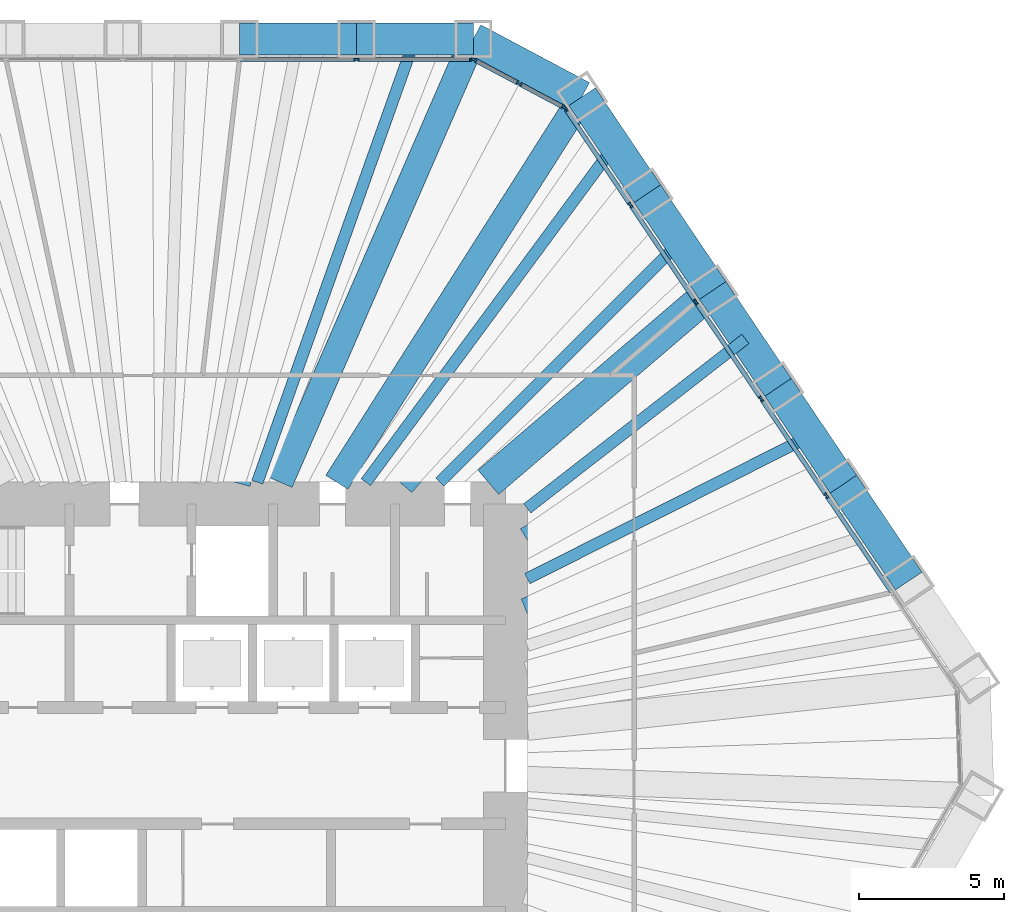
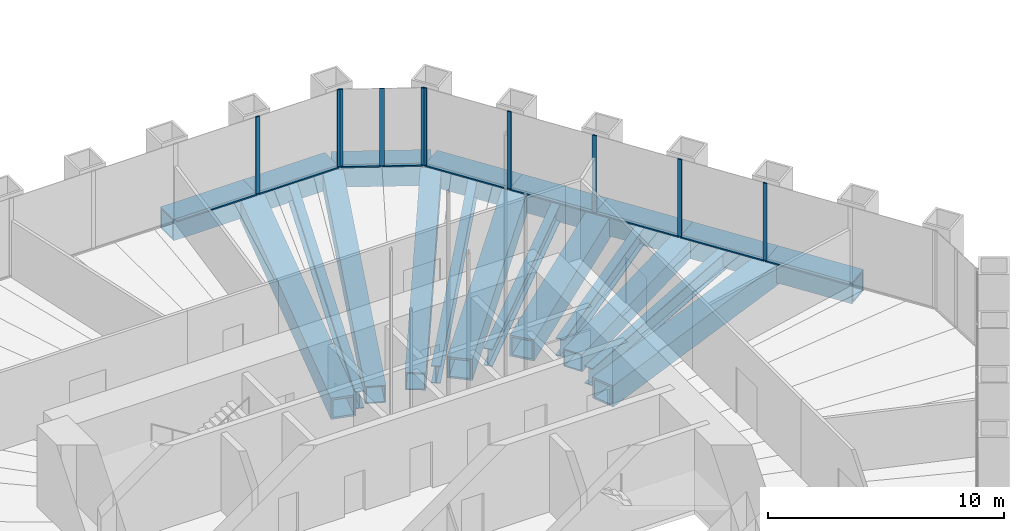
# One storey, part 7 of 20: 27 members, 12 beams, 3 elements without a shape of their own.
"""IFC4 building model written with IfcOpenShell, lengths in metres."""

from ifc_helpers import new_model, si_unit, direction, frame, origin, origin_2d, place, context, subcontext, project, spatial, rectangle, hollow_rectangle, i_section, extrude, material, material_profile, profile_set, type_object, element, aggregate, save


model = new_model("IFC4")

# Units and contexts
model_context = context("Model", 3, precision=1e-05, world=origin(), true_north=direction((0.0, 1.0)))
body_context = subcontext(model_context, "Body", "Model", "MODEL_VIEW")
ifc_project = project(units=[si_unit("LENGTHUNIT", "METRE"), si_unit("AREAUNIT", "SQUARE_METRE"), si_unit("VOLUMEUNIT", "CUBIC_METRE"), si_unit("PLANEANGLEUNIT", "RADIAN"), si_unit("MASSUNIT", "GRAM", prefix="KILO")], contexts=[model_context])

# Site, building, storey
site_placement = place(None, origin())
site = spatial("IfcSite", under=ifc_project, at=site_placement, CompositionType="ELEMENT")
building_placement = place(site_placement, origin())
building = spatial("IfcBuilding", under=site, at=building_placement, Name="Qingtian Harvest Tower", CompositionType="ELEMENT")
storey_placement = place(building_placement, frame((0.0, 0.0, 103.0)))
storey = spatial("IfcBuildingStorey", under=building, at=storey_placement, Name="L20", CompositionType="ELEMENT", Elevation=103.0)

# Members
ifc_material_1 = material(Name="Steel SM570MC", Category="steel")
ifc_material_profile_1 = material_profile(ifc_material_1, hollow_rectangle(XDim=1.10009765625, YDim=1.10009765625, WallThickness=0.080078125, at=origin_2d()), Name="BOX1100x1100x80")
ifc_profile_set_1 = profile_set([ifc_material_profile_1], Name="Steel SM570MC")
member_type_1 = type_object("IfcMemberType", Name="Belt truss chord BC1 BOX1100x1100x80", PredefinedType="CHORD", material=ifc_profile_set_1)
member_1_placement = place(storey_placement, frame((2.8544921875, 25.0, -0.550048828125), z_axis=(1.0, 0.0, 0.0), x_axis=(0.0, 1.0, 0.0)))
element("IfcMember", 1, at=member_1_placement, inside=storey, type_object=member_type_1, Name="Belt chord BC1 N4", PredefinedType="CHORD", context=body_context, shape_type="SweptSolid", body=[
    extrude(hollow_rectangle(XDim=1.10009765625, YDim=1.10009765625, WallThickness=0.080078125, at=origin_2d()), origin(), (0.0, 0.0, 1.0), 4.019287109375),
])
member_2_placement = place(storey_placement, frame((6.873779296875, 25.0, -0.550048828125), z_axis=(1.0, 0.0, 0.0), x_axis=(0.0, 1.0, 0.0)))
element("IfcMember", 2, at=member_2_placement, inside=storey, type_object=member_type_1, Name="Belt chord BC1 N5", PredefinedType="CHORD", context=body_context, shape_type="SweptSolid", body=[
    extrude(hollow_rectangle(XDim=1.10009765625, YDim=1.10009765625, WallThickness=0.080078125, at=origin_2d()), origin(), (0.0, 0.0, 1.0), 4.01904296875),
])
member_3_placement = place(storey_placement, frame((10.892822265625, 25.0, -0.550048828125), z_axis=(0.882935902835, -0.469493547863, 0.0), x_axis=(0.469493547863, 0.882935902835, 0.0)))
element("IfcMember", 3, at=member_3_placement, inside=storey, type_object=member_type_1, Name="Belt chord BC1 NC", PredefinedType="CHORD", context=body_context, shape_type="SweptSolid", body=[
    extrude(hollow_rectangle(XDim=1.10009765625, YDim=1.10009765625, WallThickness=0.080078125, at=origin_2d()), origin(), (0.0, 0.0, 1.0), 4.238037109375),
])
member_4_placement = place(storey_placement, frame((14.634765625, 23.01025390625, -0.550048828125), z_axis=(0.559205752254, -0.829028905796, 0.0), x_axis=(0.829028905796, 0.559205752254, 0.0)))
element("IfcMember", 4, at=member_4_placement, inside=storey, type_object=member_type_1, Name="Belt chord BC1 NE0", PredefinedType="CHORD", context=body_context, shape_type="SweptSolid", body=[
    extrude(hollow_rectangle(XDim=1.10009765625, YDim=1.10009765625, WallThickness=0.080078125, at=origin_2d()), origin(), (0.0, 0.0, 1.0), 4.019287109375),
])
member_5_placement = place(storey_placement, frame((16.88232421875, 19.67822265625, -0.550048828125), z_axis=(0.55919216322, -0.82903807186, 0.0), x_axis=(0.82903807186, 0.55919216322, 0.0)))
element("IfcMember", 5, at=member_5_placement, inside=storey, type_object=member_type_1, Name="Belt chord BC1 NE1", PredefinedType="CHORD", context=body_context, shape_type="SweptSolid", body=[
    extrude(hollow_rectangle(XDim=1.10009765625, YDim=1.10009765625, WallThickness=0.080078125, at=origin_2d()), origin(), (0.0, 0.0, 1.0), 4.018798828125),
])
member_6_placement = place(storey_placement, frame((19.129638671875, 16.346435546875, -0.550048828125), z_axis=(0.559205752254, -0.829028905796, 0.0), x_axis=(0.829028905796, 0.559205752254, 0.0)))
element("IfcMember", 6, at=member_6_placement, inside=storey, type_object=member_type_1, Name="Belt chord BC1 NE2", PredefinedType="CHORD", context=body_context, shape_type="SweptSolid", body=[
    extrude(hollow_rectangle(XDim=1.10009765625, YDim=1.10009765625, WallThickness=0.080078125, at=origin_2d()), origin(), (0.0, 0.0, 1.0), 4.019287109375),
])
for number, where, z_axis, x_axis, name in (
    (7, (21.377197265625, 13.014404296875, -0.550048828125), (0.55916400171, -0.829057066306, 0.0), (0.829057066306, 0.55916400171, 0.0), "Belt chord BC1 NE3"),
    (8, (23.62451171875, 9.682373046875, -0.550048828125), (0.559233913953, -0.829009909159, 0.0), (0.829009909159, 0.559233913953, 0.0), "Belt chord BC1 NE4"),
):
    element("IfcMember", number, at=place(storey_placement, frame(where, z_axis=z_axis, x_axis=x_axis)), inside=storey, type_object=member_type_1, Name=name, PredefinedType="CHORD", context=body_context, shape_type="SweptSolid", body=[
        extrude(hollow_rectangle(XDim=1.10009765625, YDim=1.10009765625, WallThickness=0.080078125, at=origin_2d()), origin(), (0.0, 0.0, 1.0), 4.01904296875),
    ])

# Beams
ifc_material_2 = material(Name="Steel SN490B", Category="steel")
ifc_material_profile_2 = material_profile(ifc_material_2, i_section(OverallWidth=0.39990234375, OverallDepth=0.89990234375, WebThickness=0.01904296875, FlangeThickness=0.035888671875, at=origin_2d()), Name="H900x400x19x36")
ifc_profile_set_2 = profile_set([ifc_material_profile_2], Name="Steel SN490B")
beam_type_1 = type_object("IfcBeamType", Name="Floor joist J4 H900x400x19x36", PredefinedType="JOIST", material=ifc_profile_set_2)
beam_1_placement = place(storey_placement, frame((8.88330078125, 25.0, -0.6201171875), z_axis=(-0.334829909573, -0.94227858495, 0.0), x_axis=(0.94227858495, -0.334829909573, 0.0)))
element("IfcBeam", 9, at=beam_1_placement, inside=storey, type_object=beam_type_1, Name="Floor joist J4 N5", PredefinedType="JOIST", context=body_context, shape_type="SweptSolid", body=[
    extrude(i_section(OverallWidth=0.39990234375, OverallDepth=0.89990234375, WebThickness=0.01904296875, FlangeThickness=0.035888671875, at=origin_2d()), origin(), (0.0, 0.0, 1.0), 16.18408203125),
])
beam_2_placement = place(storey_placement, frame((15.758544921875, 21.34423828125, -0.6201171875), z_axis=(-0.593960386058, -0.804494288229, 0.0), x_axis=(0.804494288229, -0.593960386058, 0.0)))
element("IfcBeam", 10, at=beam_2_placement, inside=storey, type_object=beam_type_1, Name="Floor joist J4 NE0", PredefinedType="JOIST", context=body_context, shape_type="SweptSolid", body=[
    extrude(i_section(OverallWidth=0.39990234375, OverallDepth=0.89990234375, WebThickness=0.01904296875, FlangeThickness=0.035888671875, at=origin_2d()), origin(), (0.0, 0.0, 1.0), 14.411865234375),
])
beam_3_placement = place(storey_placement, frame((18.005859375, 18.012451171875, -0.6201171875), z_axis=(-0.706970932755, -0.707242603524, 0.0), x_axis=(0.707242603524, -0.706970932755, 0.0)))
element("IfcBeam", 11, at=beam_3_placement, inside=storey, type_object=beam_type_1, Name="Floor joist J4 NE1", PredefinedType="JOIST", context=body_context, shape_type="SweptSolid", body=[
    extrude(i_section(OverallWidth=0.39990234375, OverallDepth=0.89990234375, WebThickness=0.01904296875, FlangeThickness=0.035888671875, at=origin_2d()), origin(), (0.0, 0.0, 1.0), 11.6826171875),
])
beam_4_placement = place(storey_placement, frame((20.25341796875, 14.680419921875, -0.6201171875), z_axis=(-0.789641272199, -0.61356879096, 0.0), x_axis=(0.61356879096, -0.789641272199, 0.0)))
element("IfcBeam", 12, at=beam_4_placement, inside=storey, type_object=beam_type_1, Name="Floor joist J4 NE2", PredefinedType="JOIST", context=body_context, shape_type="SweptSolid", body=[
    extrude(i_section(OverallWidth=0.39990234375, OverallDepth=0.89990234375, WebThickness=0.01904296875, FlangeThickness=0.035888671875, at=origin_2d()), origin(), (0.0, 0.0, 1.0), 9.502197265625),
])
beam_5_placement = place(storey_placement, frame((22.500732421875, 11.348388671875, -0.6201171875), z_axis=(-0.892861323685, -0.450331718478, 0.0), x_axis=(0.450331718478, -0.892861323685, 0.0)))
element("IfcBeam", 13, at=beam_5_placement, inside=storey, type_object=beam_type_1, Name="Floor joist J4 NE3", PredefinedType="JOIST", context=body_context, shape_type="SweptSolid", body=[
    extrude(i_section(OverallWidth=0.39990234375, OverallDepth=0.89990234375, WebThickness=0.01904296875, FlangeThickness=0.035888671875, at=origin_2d()), origin(), (0.0, 0.0, 1.0), 10.920654296875),
])

# Curtain wall, members
ifc_material_3 = material(Name="Bronze-anodised aluminium curtain wall", Category="aluminium")
curtain_wall_type = type_object("IfcCurtainWallType", Name="Curtain wall CW3 sky lobby", PredefinedType="USERDEFINED", material=ifc_material_3)
curtain_wall_1_placement = place(storey_placement, origin())
curtain_wall_1 = element("IfcCurtainWall", 14, at=curtain_wall_1_placement, inside=storey, type_object=curtain_wall_type, Name="Curtain wall CW3 L20 N0-5", ObjectType="RECESSED CURTAIN WALL", PredefinedType="USERDEFINED")
ifc_material_4 = material(Name="Bronze-anodised aluminium mullion", Category="aluminium")
ifc_material_profile_3 = material_profile(ifc_material_4, rectangle(XDim=0.06494140625, YDim=0.199951171875, at=origin_2d()), Name="AL 65x200")
ifc_profile_set_3 = profile_set([ifc_material_profile_3], Name="Bronze-anodised aluminium mullion")
member_type_2 = type_object("IfcMemberType", Name="Mullion CWM 65x200", PredefinedType="MULLION", material=ifc_profile_set_3)
member_7_placement = place(storey_placement, frame((6.873779296875, 24.300048828125, 0.0), z_axis=(0.0, 0.0, 1.0), x_axis=(0.0, 1.0, 0.0)))
member_7 = element("IfcMember", 15, at=member_7_placement, type_object=member_type_2, Name="CW3 mullion 6", PredefinedType="MULLION", context=body_context, shape_type="SweptSolid", body=[
    extrude(rectangle(XDim=0.06494140625, YDim=0.199951171875, at=origin_2d()), origin(), (0.0, 0.0, 1.0), 4.030029296875),
])
member_8_placement = place(storey_placement, frame((10.8603515625, 24.300048828125, 0.0), z_axis=(0.0, 0.0, 1.0), x_axis=(0.0, 1.0, 0.0)))
member_8 = element("IfcMember", 16, at=member_8_placement, type_object=member_type_2, Name="CW3 mullion 7", PredefinedType="MULLION", context=body_context, shape_type="SweptSolid", body=[
    extrude(rectangle(XDim=0.06494140625, YDim=0.199951171875, at=origin_2d()), origin(), (0.0, 0.0, 1.0), 4.030029296875),
])

curtain_wall_2_placement = place(storey_placement, origin())
curtain_wall_2 = element("IfcCurtainWall", 17, at=curtain_wall_2_placement, inside=storey, type_object=curtain_wall_type, Name="Curtain wall CW3 L20 NC", ObjectType="RECESSED CURTAIN WALL", PredefinedType="USERDEFINED")
member_9_placement = place(storey_placement, frame((10.92138671875, 24.28466796875, 0.0), z_axis=(0.0, 0.0, 1.0), x_axis=(0.469471562786, 0.882947592859, 0.0)))
member_9 = element("IfcMember", 18, at=member_9_placement, type_object=member_type_2, Name="CW3 mullion 1", PredefinedType="MULLION", context=body_context, shape_type="SweptSolid", body=[
    extrude(rectangle(XDim=0.06494140625, YDim=0.199951171875, at=origin_2d()), origin(), (0.0, 0.0, 1.0), 4.030029296875),
])
member_10_placement = place(storey_placement, frame((12.4736328125, 23.45947265625, 0.0), z_axis=(0.0, 0.0, 1.0), x_axis=(0.469471562786, 0.882947592859, 0.0)))
member_10 = element("IfcMember", 19, at=member_10_placement, type_object=member_type_2, Name="CW3 mullion 2", PredefinedType="MULLION", context=body_context, shape_type="SweptSolid", body=[
    extrude(rectangle(XDim=0.06494140625, YDim=0.199951171875, at=origin_2d()), origin(), (0.0, 0.0, 1.0), 4.030029296875),
])
member_11_placement = place(storey_placement, frame((14.02587890625, 22.634033203125, 0.0), z_axis=(0.0, 0.0, 1.0), x_axis=(0.469471562786, 0.882947592859, 0.0)))
member_11 = element("IfcMember", 20, at=member_11_placement, type_object=member_type_2, Name="CW3 mullion 3", PredefinedType="MULLION", context=body_context, shape_type="SweptSolid", body=[
    extrude(rectangle(XDim=0.06494140625, YDim=0.199951171875, at=origin_2d()), origin(), (0.0, 0.0, 1.0), 4.030029296875),
])

curtain_wall_3_placement = place(storey_placement, origin())
curtain_wall_3 = element("IfcCurtainWall", 21, at=curtain_wall_3_placement, inside=storey, type_object=curtain_wall_type, Name="Curtain wall CW3 L20 NE0-5", ObjectType="RECESSED CURTAIN WALL", PredefinedType="USERDEFINED")
member_12_placement = place(storey_placement, frame((14.07275390625, 22.592041015625, 0.0), z_axis=(0.0, 0.0, 1.0), x_axis=(0.829037572555, 0.559192903471, 0.0)))
member_12 = element("IfcMember", 22, at=member_12_placement, type_object=member_type_2, Name="CW3 mullion 1", PredefinedType="MULLION", context=body_context, shape_type="SweptSolid", body=[
    extrude(rectangle(XDim=0.06494140625, YDim=0.199951171875, at=origin_2d()), origin(), (0.0, 0.0, 1.0), 4.030029296875),
])
member_13_placement = place(storey_placement, frame((16.302001953125, 19.286865234375, 0.0), z_axis=(0.0, 0.0, 1.0), x_axis=(0.829037572555, 0.559192903471, 0.0)))
member_13 = element("IfcMember", 23, at=member_13_placement, type_object=member_type_2, Name="CW3 mullion 2", PredefinedType="MULLION", context=body_context, shape_type="SweptSolid", body=[
    extrude(rectangle(XDim=0.06494140625, YDim=0.199951171875, at=origin_2d()), origin(), (0.0, 0.0, 1.0), 4.030029296875),
])
member_14_placement = place(storey_placement, frame((18.54931640625, 15.954833984375, 0.0), z_axis=(0.0, 0.0, 1.0), x_axis=(0.829037572555, 0.559192903471, 0.0)))
member_14 = element("IfcMember", 24, at=member_14_placement, type_object=member_type_2, Name="CW3 mullion 3", PredefinedType="MULLION", context=body_context, shape_type="SweptSolid", body=[
    extrude(rectangle(XDim=0.06494140625, YDim=0.199951171875, at=origin_2d()), origin(), (0.0, 0.0, 1.0), 4.030029296875),
])
member_15_placement = place(storey_placement, frame((20.796875, 12.623046875, 0.0), z_axis=(0.0, 0.0, 1.0), x_axis=(0.829037572555, 0.559192903471, 0.0)))
member_15 = element("IfcMember", 25, at=member_15_placement, type_object=member_type_2, Name="CW3 mullion 4", PredefinedType="MULLION", context=body_context, shape_type="SweptSolid", body=[
    extrude(rectangle(XDim=0.06494140625, YDim=0.199951171875, at=origin_2d()), origin(), (0.0, 0.0, 1.0), 4.030029296875),
])
member_16_placement = place(storey_placement, frame((23.044189453125, 9.291015625, 0.0), z_axis=(0.0, 0.0, 1.0), x_axis=(0.829037572555, 0.559192903471, 0.0)))
member_16 = element("IfcMember", 26, at=member_16_placement, type_object=member_type_2, Name="CW3 mullion 5", PredefinedType="MULLION", context=body_context, shape_type="SweptSolid", body=[
    extrude(rectangle(XDim=0.06494140625, YDim=0.199951171875, at=origin_2d()), origin(), (0.0, 0.0, 1.0), 4.030029296875),
])

# Beams
ifc_material_5 = material(Name="Steel SM570MC", Category="steel")
ifc_material_profile_4 = material_profile(ifc_material_5, hollow_rectangle(XDim=0.89990234375, YDim=0.89990234375, WallThickness=0.06005859375, at=origin_2d()), Name="BOX900x900x60")
ifc_profile_set_4 = profile_set([ifc_material_profile_4], Name="Steel SM570MC")
beam_type_2 = type_object("IfcBeamType", Name="Outrigger chord beam OC1 BOX900x900x60", PredefinedType="BEAM", material=ifc_profile_set_4)
beam_6_placement = place(storey_placement, frame((10.892822265625, 25.0, -0.6201171875), z_axis=(-0.399451016538, -0.916754539333, 0.0), x_axis=(0.916754539333, -0.399451016538, 0.0)))
element("IfcBeam", 27, at=beam_6_placement, inside=storey, type_object=beam_type_2, Name="Floor beam OC1 N6", PredefinedType="BEAM", context=body_context, shape_type="SweptSolid", body=[
    extrude(hollow_rectangle(XDim=0.89990234375, YDim=0.89990234375, WallThickness=0.06005859375, at=origin_2d()), origin(), (0.0, 0.0, 1.0), 16.634765625),
])
beam_7_placement = place(storey_placement, frame((14.634765625, 23.01025390625, -0.6201171875), z_axis=(-0.536660352939, -0.843798355997, 0.0), x_axis=(0.843798355997, -0.536660352939, 0.0)))
element("IfcBeam", 28, at=beam_7_placement, inside=storey, type_object=beam_type_2, Name="Floor beam OC1 NE0", PredefinedType="BEAM", context=body_context, shape_type="SweptSolid", body=[
    extrude(hollow_rectangle(XDim=0.89990234375, YDim=0.89990234375, WallThickness=0.06005859375, at=origin_2d()), origin(), (0.0, 0.0, 1.0), 15.71484375),
])
beam_8_placement = place(storey_placement, frame((21.377197265625, 13.014404296875, -0.6201171875), z_axis=(-0.854160745245, -0.520009058846, 0.0), x_axis=(0.520009058846, -0.854160745245, 0.0)))
element("IfcBeam", 29, at=beam_8_placement, inside=storey, type_object=beam_type_2, Name="Floor beam OC1 NE3", PredefinedType="BEAM", context=body_context, shape_type="SweptSolid", body=[
    extrude(hollow_rectangle(XDim=0.89990234375, YDim=0.89990234375, WallThickness=0.06005859375, at=origin_2d()), origin(), (0.0, 0.0, 1.0), 10.10009765625),
])
ifc_material_6 = material(Name="Steel SM570MC", Category="steel")
ifc_material_profile_5 = material_profile(ifc_material_6, hollow_rectangle(XDim=1.10009765625, YDim=1.10009765625, WallThickness=0.10009765625, at=origin_2d()), Name="BOX1100x1100x100")
ifc_profile_set_5 = profile_set([ifc_material_profile_5], Name="Steel SM570MC")
beam_type_3 = type_object("IfcBeamType", Name="Transfer floor beam FB9 BOX1100x1100x100", PredefinedType="BEAM", material=ifc_profile_set_5)
beam_9_placement = place(storey_placement, frame((6.873779296875, 25.0, -0.719970703125), z_axis=(-0.265119170108, -0.964215653078, 0.0), x_axis=(0.964215653078, -0.265119170108, 0.0)))
element("IfcBeam", 30, at=beam_9_placement, inside=storey, type_object=beam_type_3, Name="Floor beam FB9 N5", PredefinedType="BEAM", context=body_context, shape_type="SweptSolid", body=[
    extrude(hollow_rectangle(XDim=1.10009765625, YDim=1.10009765625, WallThickness=0.10009765625, at=origin_2d()), origin(), (0.0, 0.0, 1.0), 15.81591796875),
])
beam_10_placement = place(storey_placement, frame((16.88232421875, 19.67822265625, -0.719970703125), z_axis=(-0.651140196702, -0.758957471957, 0.0), x_axis=(0.758957471957, -0.651140196702, 0.0)))
element("IfcBeam", 31, at=beam_10_placement, inside=storey, type_object=beam_type_3, Name="Floor beam FB9 NE1", PredefinedType="BEAM", context=body_context, shape_type="SweptSolid", body=[
    extrude(hollow_rectangle(XDim=1.10009765625, YDim=1.10009765625, WallThickness=0.10009765625, at=origin_2d()), origin(), (0.0, 0.0, 1.0), 13.081298828125),
])
beam_11_placement = place(storey_placement, frame((19.129638671875, 16.346435546875, -0.719970703125), z_axis=(-0.760241810635, -0.649640199928, 0.0), x_axis=(0.649640199928, -0.760241810635, 0.0)))
element("IfcBeam", 32, at=beam_11_placement, inside=storey, type_object=beam_type_3, Name="Floor beam FB9 NE2", PredefinedType="BEAM", context=body_context, shape_type="SweptSolid", body=[
    extrude(hollow_rectangle(XDim=1.10009765625, YDim=1.10009765625, WallThickness=0.10009765625, at=origin_2d()), origin(), (0.0, 0.0, 1.0), 10.154052734375),
])
beam_12_placement = place(storey_placement, frame((23.62451171875, 9.682373046875, -0.719970703125), z_axis=(-0.925304541163, -0.379224875375, 0.0), x_axis=(0.379224875375, -0.925304541163, 0.0)))
element("IfcBeam", 33, at=beam_12_placement, inside=storey, type_object=beam_type_3, Name="Floor beam FB9 NE4", PredefinedType="BEAM", context=body_context, shape_type="SweptSolid", body=[
    extrude(hollow_rectangle(XDim=1.10009765625, YDim=1.10009765625, WallThickness=0.10009765625, at=origin_2d()), origin(), (0.0, 0.0, 1.0), 11.75244140625),
])

# Member
ifc_material_7 = material(Name="Bronze-anodised aluminium transom", Category="aluminium")
ifc_material_profile_6 = material_profile(ifc_material_7, rectangle(XDim=0.14990234375, YDim=0.06494140625, at=origin_2d()), Name="AL 65x150")
ifc_profile_set_6 = profile_set([ifc_material_profile_6], Name="Bronze-anodised aluminium transom")
member_type_3 = type_object("IfcMemberType", Name="Transom CWT 65x150", PredefinedType="USERDEFINED", material=ifc_profile_set_6)
member_17_placement = place(storey_placement, frame((2.886962890625, 24.300048828125, 0.032470703125), z_axis=(1.0, 0.0, 0.0), x_axis=(0.0, 1.0, 0.0)))
member_17 = element("IfcMember", 34, at=member_17_placement, type_object=member_type_3, Name="CW3 transom 5.1", ObjectType="TRANSOM", PredefinedType="USERDEFINED", context=body_context, shape_type="SweptSolid", body=[
    extrude(rectangle(XDim=0.14990234375, YDim=0.06494140625, at=origin_2d()), origin(), (0.0, 0.0, 1.0), 3.9541015625),
])

member_18_placement = place(storey_placement, frame((6.90625, 24.300048828125, 0.032470703125), z_axis=(1.0, 0.0, 0.0), x_axis=(0.0, 1.0, 0.0)))
member_18 = element("IfcMember", 35, at=member_18_placement, type_object=member_type_3, Name="CW3 transom 6.1", ObjectType="TRANSOM", PredefinedType="USERDEFINED", context=body_context, shape_type="SweptSolid", body=[
    extrude(rectangle(XDim=0.14990234375, YDim=0.06494140625, at=origin_2d()), origin(), (0.0, 0.0, 1.0), 3.92138671875),
])

aggregate(curtain_wall_1, [member_7, member_8, member_17, member_18])

member_19_placement = place(storey_placement, frame((10.9501953125, 24.26953125, 0.032470703125), z_axis=(0.882895287784, -0.469569921108, 0.0), x_axis=(0.469569921108, 0.882895287784, 0.0)))
member_19 = element("IfcMember", 36, at=member_19_placement, type_object=member_type_3, Name="CW3 transom 1.1", ObjectType="TRANSOM", PredefinedType="USERDEFINED", context=body_context, shape_type="SweptSolid", body=[
    extrude(rectangle(XDim=0.14990234375, YDim=0.06494140625, at=origin_2d()), origin(), (0.0, 0.0, 1.0), 1.69287109375),
])

member_20_placement = place(storey_placement, frame((12.502197265625, 23.444091796875, 0.032470703125), z_axis=(0.882986854304, -0.469397715297, 0.0), x_axis=(0.469397715297, 0.882986854304, 0.0)))
member_20 = element("IfcMember", 37, at=member_20_placement, type_object=member_type_3, Name="CW3 transom 2.1", ObjectType="TRANSOM", PredefinedType="USERDEFINED", context=body_context, shape_type="SweptSolid", body=[
    extrude(rectangle(XDim=0.14990234375, YDim=0.06494140625, at=origin_2d()), origin(), (0.0, 0.0, 1.0), 1.69287109375),
])

aggregate(curtain_wall_2, [member_9, member_10, member_11, member_19, member_20])

member_21_placement = place(storey_placement, frame((14.0908203125, 22.56494140625, 0.032470703125), z_axis=(0.55920336949, -0.82903051304, 0.0), x_axis=(0.82903051304, 0.55920336949, 0.0)))
member_21 = element("IfcMember", 38, at=member_21_placement, type_object=member_type_3, Name="CW3 transom 1.1", ObjectType="TRANSOM", PredefinedType="USERDEFINED", context=body_context, shape_type="SweptSolid", body=[
    extrude(rectangle(XDim=0.14990234375, YDim=0.06494140625, at=origin_2d()), origin(), (0.0, 0.0, 1.0), 3.92138671875),
])

member_22_placement = place(storey_placement, frame((16.320068359375, 19.260009765625, 0.032470703125), z_axis=(0.55920878069, -0.829026863014, 0.0), x_axis=(0.829026863014, 0.55920878069, 0.0)))
member_22 = element("IfcMember", 39, at=member_22_placement, type_object=member_type_3, Name="CW3 transom 2.1", ObjectType="TRANSOM", PredefinedType="USERDEFINED", context=body_context, shape_type="SweptSolid", body=[
    extrude(rectangle(XDim=0.14990234375, YDim=0.06494140625, at=origin_2d()), origin(), (0.0, 0.0, 1.0), 3.9541015625),
])

member_23_placement = place(storey_placement, frame((18.567626953125, 15.927978515625, 0.032470703125), z_axis=(0.559166343236, -0.82905548704, 0.0), x_axis=(0.82905548704, 0.559166343236, 0.0)))
member_23 = element("IfcMember", 40, at=member_23_placement, type_object=member_type_3, Name="CW3 transom 3.1", ObjectType="TRANSOM", PredefinedType="USERDEFINED", context=body_context, shape_type="SweptSolid", body=[
    extrude(rectangle(XDim=0.14990234375, YDim=0.06494140625, at=origin_2d()), origin(), (0.0, 0.0, 1.0), 3.9541015625),
])

member_24_placement = place(storey_placement, frame((20.81494140625, 12.595947265625, 0.032470703125), z_axis=(0.55920878069, -0.829026863014, 0.0), x_axis=(0.829026863014, 0.55920878069, 0.0)))
member_24 = element("IfcMember", 41, at=member_24_placement, type_object=member_type_3, Name="CW3 transom 4.1", ObjectType="TRANSOM", PredefinedType="USERDEFINED", context=body_context, shape_type="SweptSolid", body=[
    extrude(rectangle(XDim=0.14990234375, YDim=0.06494140625, at=origin_2d()), origin(), (0.0, 0.0, 1.0), 3.9541015625),
])

member_25_placement = place(storey_placement, frame((23.0625, 9.26416015625, 0.032470703125), z_axis=(0.559166343236, -0.82905548704, 0.0), x_axis=(0.82905548704, 0.559166343236, 0.0)))
member_25 = element("IfcMember", 42, at=member_25_placement, type_object=member_type_3, Name="CW3 transom 5.1", ObjectType="TRANSOM", PredefinedType="USERDEFINED", context=body_context, shape_type="SweptSolid", body=[
    extrude(rectangle(XDim=0.14990234375, YDim=0.06494140625, at=origin_2d()), origin(), (0.0, 0.0, 1.0), 3.9541015625),
])

aggregate(curtain_wall_3, [member_12, member_13, member_14, member_15, member_16, member_21, member_22, member_23, member_24, member_25])

save(model, "model.ifc")
